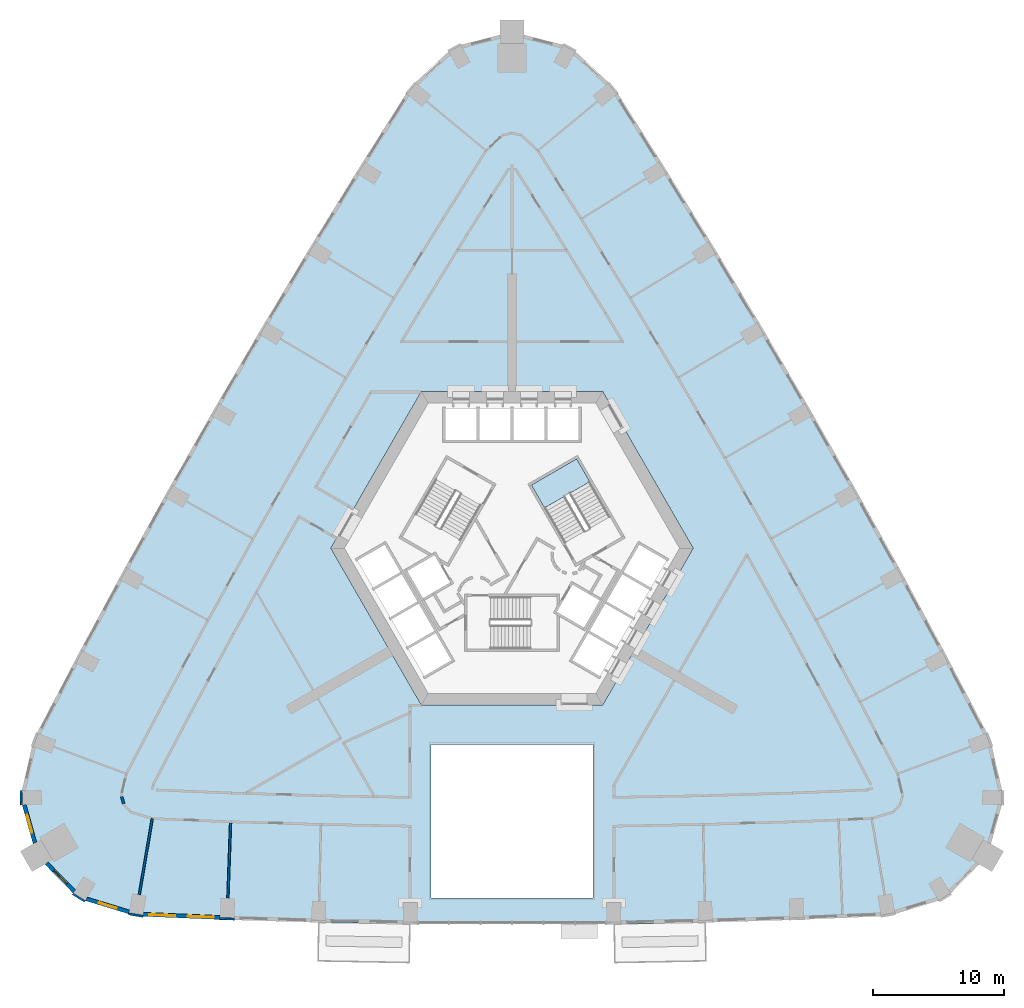
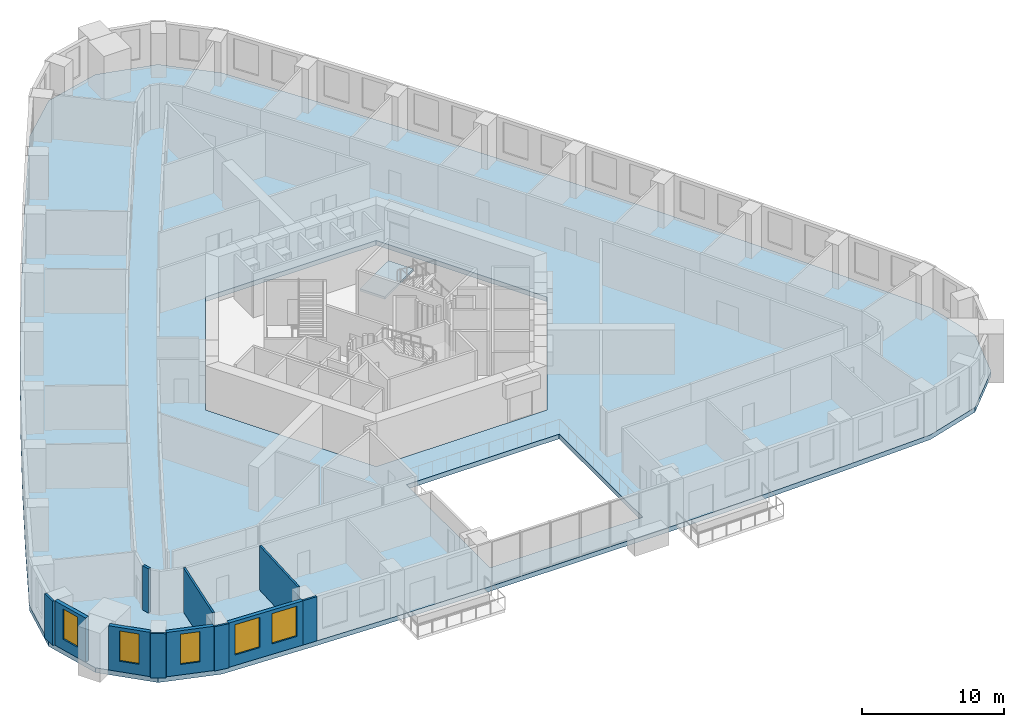
# One storey, part 3 of 13: 11 walls, 5 windows, 2 slabs, 5 openings, 1 element without a shape of its own.
"""IFC4 building model written with IfcOpenShell, lengths in metres."""

from ifc_helpers import new_model, si_unit, direction, frame, frame_2d, origin, place, context, subcontext, project, spatial, polyline, rectangle, outline, extrude, material, layer, layer_set, type_object, element, fill, aggregate, save


model = new_model("IFC4")

# Units and contexts
model_context = context("Model", 3, precision=1e-05, world=origin(), true_north=direction((0.0, 1.0)))
body_context = subcontext(model_context, "Body", "Model", "MODEL_VIEW")
ifc_project = project(units=[si_unit("LENGTHUNIT", "METRE"), si_unit("AREAUNIT", "SQUARE_METRE"), si_unit("VOLUMEUNIT", "CUBIC_METRE"), si_unit("PLANEANGLEUNIT", "RADIAN"), si_unit("MASSUNIT", "GRAM", prefix="KILO")], contexts=[model_context])

# Site, building, storey
site_placement = place(None, origin())
site = spatial("IfcSite", under=ifc_project, at=site_placement, CompositionType="ELEMENT")
building_placement = place(site_placement, origin())
building = spatial("IfcBuilding", under=site, at=building_placement, Name="Entoto Arch Interchange Tower", CompositionType="ELEMENT")
storey_placement = place(building_placement, frame((0.0, 0.0, 90.800048828125)))
storey = spatial("IfcBuildingStorey", under=building, at=storey_placement, Name="L19", CompositionType="ELEMENT", Elevation=90.800048828125)

# Stair, slab
ifc_material_1 = material(Name="Concrete C40/50", Category="concrete")
stair_type = type_object("IfcStairType", Name="EXIT STAIR RC 1800", PredefinedType="HALF_TURN_STAIR", material=ifc_material_1)
stair_placement = place(storey_placement, origin())
stair = element("IfcStair", 1, at=stair_placement, inside=storey, type_object=stair_type, Name="L19 Exit stair NE", PredefinedType="HALF_TURN_STAIR")
ifc_layer_1 = layer(ifc_material_1, 0.199951171875)
ifc_layer_set_1 = layer_set([ifc_layer_1], Name="Concrete C40/50")
slab_type_1 = type_object("IfcSlabType", Name="EXIT STAIR LANDING RC 200", PredefinedType="LANDING", material=ifc_layer_set_1)
slab_1_placement = place(storey_placement, frame((0.0, 0.0, 1.89990234375)))
slab_1 = element("IfcSlab", 2, at=slab_1_placement, type_object=slab_type_1, Name="ST-NE landing 1", PredefinedType="LANDING", context=body_context, shape_type="SweptSolid", body=[
    extrude(outline(polyline([(5.953369140625, 7.58837890625), (4.943359375, 9.337890625), (1.479248046875, 7.337890625), (2.4892578125, 5.58837890625), (5.953369140625, 7.58837890625)])), origin(), (0.0, 0.0, 1.0), 0.199951171875),
])
aggregate(stair, [slab_1])

# Slab
ifc_layer_2 = layer(ifc_material_1, 0.39990234375)
ifc_layer_set_2 = layer_set([ifc_layer_2], Name="Concrete C40/50")
slab_type_2 = type_object("IfcSlabType", Name="Post-tensioned flat plate 400 C40/50", PredefinedType="FLOOR", material=ifc_layer_set_2)
slab_2_placement = place(storey_placement, frame((0.0, 0.0, -0.400146484375)))
element("IfcSlab", 3, at=slab_2_placement, inside=storey, type_object=slab_type_2, Name="Floor slab L19", PredefinedType="FLOOR", context=body_context, shape_type="SweptSolid", body=[
    extrude(outline(polyline([(-28.783935546875, -25.626953125), (-21.7890625, -25.9140625), (-14.794921875, -26.1220703125), (-7.800048828125, -26.2509765625), (7.800048828125, -26.2509765625), (14.794921875, -26.1220703125), (21.7890625, -25.9140625), (28.783935546875, -25.626953125), (33.1708984375, -24.284912109375), (36.376953125, -21.0029296875), (37.616943359375, -16.5849609375), (36.5849609375, -12.114013671875), (33.243896484375, -5.738037109375), (29.8291015625, 0.59912109375), (26.339111328125, 6.89501953125), (22.77587890625, 13.14990234375), (19.14111328125, 19.363037109375), (15.43310546875, 25.532958984375), (11.653076171875, 31.658935546875), (7.802001953125, 37.740966796875), (4.446044921875, 40.868896484375), (0.0, 42.0048828125), (-4.446044921875, 40.868896484375), (-7.802001953125, 37.740966796875), (-11.653076171875, 31.658935546875), (-15.43310546875, 25.532958984375), (-19.14111328125, 19.363037109375), (-22.77587890625, 13.14990234375), (-26.339111328125, 6.89501953125), (-29.8291015625, 0.59912109375), (-33.243896484375, -5.738037109375), (-36.5849609375, -12.114013671875), (-37.616943359375, -16.5849609375), (-36.376953125, -21.0029296875), (-33.1708984375, -24.284912109375), (-28.783935546875, -25.626953125)]), holes=[polyline([(6.199951171875, -24.2509765625), (6.199951171875, -12.5), (-6.199951171875, -12.5), (-6.199951171875, -24.2509765625), (6.199951171875, -24.2509765625)]), polyline([(13.85595703125, 2.5), (6.927978515625, 14.5), (-6.927978515625, 14.5), (-13.85595703125, 2.5), (-6.927978515625, -9.5), (6.927978515625, -9.5), (13.85595703125, 2.5)])]), origin(), (0.0, 0.0, 1.0), 0.400146484375),
])

# Walls
ifc_material_2 = material(Name="Gypsum board partition on steel studs", Category="steel")
ifc_layer_3 = layer(ifc_material_2, 0.14990234375)
ifc_layer_set_3 = layer_set([ifc_layer_3], Name="Gypsum board partition on steel studs")
wall_type_1 = type_object("IfcWallType", Name="PARTITION 150", PredefinedType="PARTITIONING", material=ifc_layer_set_3)
wall_1_placement = place(storey_placement, frame((-27.512939453125, -18.173095703125, 0.0), z_axis=(0.0, 0.0, 1.0), x_axis=(-0.168033262309, -0.985781326034, 0.0)))
element("IfcWall", 4, at=wall_1_placement, inside=storey, type_object=wall_type_1, Name="wall:L19:p129", PredefinedType="PARTITIONING", context=body_context, shape_type="SweptSolid", body=[
    extrude(rectangle(XDim=5.8916015625, YDim=0.14990234375, at=frame_2d((2.94580078125, 0.0))), origin(), (0.0, 0.0, 1.0), 3.800048828125),
])
wall_2_placement = place(storey_placement, frame((-21.527099609375, -18.51904296875, 0.0), z_axis=(0.0, 0.0, 1.0), x_axis=(-0.035408838092, -0.999372910472, 0.0)))
element("IfcWall", 5, at=wall_2_placement, inside=storey, type_object=wall_type_1, Name="wall:L19:p130", PredefinedType="PARTITIONING", context=body_context, shape_type="SweptSolid", body=[
    extrude(rectangle(XDim=5.729736328125, YDim=0.14990234375, at=frame_2d((2.86474609375, 0.0))), origin(), (0.0, 0.0, 1.0), 3.800048828125),
])
ifc_layer_4 = layer(ifc_material_2, 0.199951171875)
ifc_layer_set_4 = layer_set([ifc_layer_4], Name="Gypsum board partition on steel studs")
wall_type_2 = type_object("IfcWallType", Name="PARTITION 200", PredefinedType="PARTITIONING", material=ifc_layer_set_4)
wall_3_placement = place(storey_placement, frame((-29.700927734375, -17.035888671875, 0.0), z_axis=(0.0, 0.0, 1.0), x_axis=(-0.269792639482, 0.962918444979, 0.0)))
element("IfcWall", 6, at=wall_3_placement, inside=storey, type_object=wall_type_2, Name="wall:L19:p061", PredefinedType="PARTITIONING", context=body_context, shape_type="SweptSolid", body=[
    extrude(rectangle(XDim=0.556640625, YDim=0.199951171875, at=frame_2d((0.2783203125, 0.0))), origin(), (0.0, 0.0, 1.0), 3.800048828125),
])

# Wall, openings, windows
ifc_material_3 = material(Name="Welded tuff (ignimbrite) cladding, warm buff", Category="masonry")
ifc_layer_5 = layer(ifc_material_3, 0.300048828125)
ifc_layer_set_5 = layer_set([ifc_layer_5], Name="Welded tuff (ignimbrite) cladding, warm buff")
wall_type_3 = type_object("IfcWallType", Name="STONE INFILL WALL 300", PredefinedType="STANDARD", material=ifc_layer_set_5)
wall_4_placement = place(storey_placement, frame((-28.205078125, -25.5009765625, 0.0), z_axis=(0.0, 0.0, 1.0), x_axis=(0.999159360905, -0.040994774244, 0.0)))
wall_4 = element("IfcWall", 7, at=wall_4_placement, inside=storey, type_object=wall_type_3, Name="Facade wall S-01 L19", PredefinedType="STANDARD", context=body_context, shape_type="SweptSolid", body=[
    extrude(rectangle(XDim=5.8779296875, YDim=0.300048828125, at=frame_2d((2.93896484375, 0.0))), origin(), (0.0, 0.0, 1.0), 3.800048828125),
])
opening_1_placement = place(wall_4_placement, frame((0.468994140625, 0.0, 0.89990234375)))
opening_1 = element("IfcOpeningElement", 8, at=opening_1_placement, cuts=wall_4, Name="Opening WO-C", PredefinedType="OPENING", context=body_context, shape_type="SweptSolid", body=[
    extrude(rectangle(XDim=2.0, YDim=2.60009765625, at=frame_2d((1.0, 1.300048828125))), frame((0.0, 0.16015625, 0.0), z_axis=(0.0, -1.0, 0.0), x_axis=(1.0, 0.0, 0.0)), (0.0, 0.0, 1.0), 0.320068359375),
])
opening_2_placement = place(wall_4_placement, frame((3.407958984375, 0.0, 0.89990234375)))
opening_2 = element("IfcOpeningElement", 9, at=opening_2_placement, cuts=wall_4, Name="Opening WO-C", PredefinedType="OPENING", context=body_context, shape_type="SweptSolid", body=[
    extrude(rectangle(XDim=2.0, YDim=2.60009765625, at=frame_2d((1.0, 1.300048828125))), frame((0.0, 0.16015625, 0.0), z_axis=(0.0, -1.0, 0.0), x_axis=(1.0, 0.0, 0.0)), (0.0, 0.0, 1.0), 0.320068359375),
])
ifc_material_4 = material(Name="Clear glass, low-e double glazed", Category="glass")
window_type_1 = type_object("IfcWindowType", Name="WINDOW WO-C 2000x2600", PartitioningType="DOUBLE_PANEL_VERTICAL", PredefinedType="WINDOW", material=ifc_material_4)
window_1_placement = place(opening_1_placement, origin())
window_1 = element("IfcWindow", 10, at=window_1_placement, inside=storey, type_object=window_type_1, Name="Window WO-C S-01 L19", OverallHeight=2.60009765625, OverallWidth=2.0, PartitioningType="SINGLE_PANEL", PredefinedType="WINDOW", context=body_context, shape_type="SweptSolid", body=[
    extrude(rectangle(XDim=2.0, YDim=2.60009765625, at=frame_2d((1.0, 1.300048828125))), frame((0.0, 0.030029296875, 0.0), z_axis=(0.0, -1.0, 0.0), x_axis=(1.0, 0.0, 0.0)), (0.0, 0.0, 1.0), 0.06005859375),
])
fill(opening_1, window_1)
window_2_placement = place(opening_2_placement, origin())
window_2 = element("IfcWindow", 11, at=window_2_placement, inside=storey, type_object=window_type_1, Name="Window WO-C S-01 L19", OverallHeight=2.60009765625, OverallWidth=2.0, PartitioningType="SINGLE_PANEL", PredefinedType="WINDOW", context=body_context, shape_type="SweptSolid", body=[
    extrude(rectangle(XDim=2.0, YDim=2.60009765625, at=frame_2d((1.0, 1.300048828125))), frame((0.0, 0.030029296875, 0.0), z_axis=(0.0, -1.0, 0.0), x_axis=(1.0, 0.0, 0.0)), (0.0, 0.0, 1.0), 0.06005859375),
])
fill(opening_2, window_2)

# Wall, opening, window
wall_5_placement = place(storey_placement, frame((-37.30908203125, -17.126953125, 0.0), z_axis=(0.0, 0.0, 1.0), x_axis=(0.270176120308, -0.962810918102, 0.0)))
wall_5 = element("IfcWall", 12, at=wall_5_placement, inside=storey, type_object=wall_type_3, Name="Facade wall SW-02 L19", PredefinedType="STANDARD", context=body_context, shape_type="SweptSolid", body=[
    extrude(rectangle(XDim=3.017333984375, YDim=0.300048828125, at=frame_2d((1.5087890625, 0.0))), origin(), (0.0, 0.0, 1.0), 3.800048828125),
])
opening_3_placement = place(wall_5_placement, frame((0.80908203125, 0.0, 0.89990234375)))
opening_3 = element("IfcOpeningElement", 13, at=opening_3_placement, cuts=wall_5, Name="Opening WO-B", PredefinedType="OPENING", context=body_context, shape_type="SweptSolid", body=[
    extrude(rectangle(XDim=1.39990234375, YDim=2.60009765625, at=frame_2d((0.699951171875, 1.300048828125))), frame((0.0, 0.16015625, 0.0), z_axis=(0.0, -1.0, 0.0), x_axis=(1.0, 0.0, 0.0)), (0.0, 0.0, 1.0), 0.320068359375),
])
window_type_2 = type_object("IfcWindowType", Name="WINDOW WO-B 1400x2600", PartitioningType="DOUBLE_PANEL_VERTICAL", PredefinedType="WINDOW", material=ifc_material_4)
window_3_placement = place(opening_3_placement, origin())
window_3 = element("IfcWindow", 14, at=window_3_placement, inside=storey, type_object=window_type_2, Name="Window WO-B SW-02 L19", OverallHeight=2.60009765625, OverallWidth=1.39990234375, PartitioningType="SINGLE_PANEL", PredefinedType="WINDOW", context=body_context, shape_type="SweptSolid", body=[
    extrude(rectangle(XDim=1.39990234375, YDim=2.60009765625, at=frame_2d((0.699951171875, 1.300048828125))), frame((0.0, 0.030029296875, 0.0), z_axis=(0.0, -1.0, 0.0), x_axis=(1.0, 0.0, 0.0)), (0.0, 0.0, 1.0), 0.06005859375),
])
fill(opening_3, window_3)

wall_6_placement = place(storey_placement, frame((-35.594970703125, -21.589111328125, 0.0), z_axis=(0.0, 0.0, 1.0), x_axis=(0.698928244773, -0.715191798512, 0.0)))
wall_6 = element("IfcWall", 15, at=wall_6_placement, inside=storey, type_object=wall_type_3, Name="Facade wall SW-03 L19", PredefinedType="STANDARD", context=body_context, shape_type="SweptSolid", body=[
    extrude(rectangle(XDim=3.017333984375, YDim=0.300048828125, at=frame_2d((1.5087890625, 0.0))), origin(), (0.0, 0.0, 1.0), 3.800048828125),
])
opening_4_placement = place(wall_6_placement, frame((0.80908203125, 0.0, 0.89990234375)))
opening_4 = element("IfcOpeningElement", 16, at=opening_4_placement, cuts=wall_6, Name="Opening WO-B", PredefinedType="OPENING", context=body_context, shape_type="SweptSolid", body=[
    extrude(rectangle(XDim=1.39990234375, YDim=2.60009765625, at=frame_2d((0.699951171875, 1.300048828125))), frame((0.0, 0.16015625, 0.0), z_axis=(0.0, -1.0, 0.0), x_axis=(1.0, 0.0, 0.0)), (0.0, 0.0, 1.0), 0.320068359375),
])
window_4_placement = place(opening_4_placement, origin())
window_4 = element("IfcWindow", 17, at=window_4_placement, inside=storey, type_object=window_type_2, Name="Window WO-B SW-03 L19", OverallHeight=2.60009765625, OverallWidth=1.39990234375, PartitioningType="SINGLE_PANEL", PredefinedType="WINDOW", context=body_context, shape_type="SweptSolid", body=[
    extrude(rectangle(XDim=1.39990234375, YDim=2.60009765625, at=frame_2d((0.699951171875, 1.300048828125))), frame((0.0, 0.030029296875, 0.0), z_axis=(0.0, -1.0, 0.0), x_axis=(1.0, 0.0, 0.0)), (0.0, 0.0, 1.0), 0.06005859375),
])
fill(opening_4, window_4)

wall_7_placement = place(storey_placement, frame((-32.549072265625, -24.319091796875, 0.0), z_axis=(0.0, 0.0, 1.0), x_axis=(0.956317661006, -0.292329490895, 0.0)))
wall_7 = element("IfcWall", 18, at=wall_7_placement, inside=storey, type_object=wall_type_3, Name="Facade wall SW-04 L19", PredefinedType="STANDARD", context=body_context, shape_type="SweptSolid", body=[
    extrude(rectangle(XDim=3.409912109375, YDim=0.300048828125, at=frame_2d((1.705078125, 0.0))), origin(), (0.0, 0.0, 1.0), 3.800048828125),
])
opening_5_placement = place(wall_7_placement, frame((1.0048828125, 0.0, 0.89990234375)))
opening_5 = element("IfcOpeningElement", 19, at=opening_5_placement, cuts=wall_7, Name="Opening WO-B", PredefinedType="OPENING", context=body_context, shape_type="SweptSolid", body=[
    extrude(rectangle(XDim=1.39990234375, YDim=2.60009765625, at=frame_2d((0.699951171875, 1.300048828125))), frame((0.0, 0.16015625, 0.0), z_axis=(0.0, -1.0, 0.0), x_axis=(1.0, 0.0, 0.0)), (0.0, 0.0, 1.0), 0.320068359375),
])
window_5_placement = place(opening_5_placement, origin())
window_5 = element("IfcWindow", 20, at=window_5_placement, inside=storey, type_object=window_type_2, Name="Window WO-B SW-04 L19", OverallHeight=2.60009765625, OverallWidth=1.39990234375, PartitioningType="SINGLE_PANEL", PredefinedType="WINDOW", context=body_context, shape_type="SweptSolid", body=[
    extrude(rectangle(XDim=1.39990234375, YDim=2.60009765625, at=frame_2d((0.699951171875, 1.300048828125))), frame((0.0, 0.030029296875, 0.0), z_axis=(0.0, -1.0, 0.0), x_axis=(1.0, 0.0, 0.0)), (0.0, 0.0, 1.0), 0.06005859375),
])
fill(opening_5, window_5)

# Walls
ifc_layer_6 = layer(ifc_material_3, 0.14990234375)
ifc_layer_set_6 = layer_set([ifc_layer_6], Name="Welded tuff (ignimbrite) cladding, warm buff")
wall_type_4 = type_object("IfcWallType", Name="STONE PIER CLADDING 150", PredefinedType="STANDARD", material=ifc_layer_set_6)
wall_8_placement = place(storey_placement, frame((-29.31396484375, -25.4609375, 0.0), z_axis=(0.0, 0.0, 1.0), x_axis=(0.985763338892, -0.168138751323, 0.0)))
element("IfcWall", 21, at=wall_8_placement, inside=storey, type_object=wall_type_4, Name="Stone pier S01 L19", PredefinedType="STANDARD", context=body_context, shape_type="SweptSolid", body=[
    extrude(rectangle(XDim=1.1005859375, YDim=0.14990234375, at=frame_2d((0.55029296875, 0.0))), origin(), (0.0, 0.0, 1.0), 3.800048828125),
])
wall_9_placement = place(storey_placement, frame((-22.3359375, -25.820068359375, 0.0), z_axis=(0.0, 0.0, 1.0), x_axis=(0.999376638472, -0.035303462679, 0.0)))
element("IfcWall", 22, at=wall_9_placement, inside=storey, type_object=wall_type_4, Name="Stone pier S02 L19", PredefinedType="STANDARD", context=body_context, shape_type="SweptSolid", body=[
    extrude(rectangle(XDim=1.099609375, YDim=0.14990234375, at=frame_2d((0.5498046875, 0.0))), origin(), (0.0, 0.0, 1.0), 3.800048828125),
])
for number, where, z_axis, x_axis, name in (
    (23, (-37.554931640625, -16.032958984375, 0.0), (0.0, 0.0, 1.0), (0.023517683673, -0.999723421029, 0.0), "Stone pier SW1 L19"),
    (24, (-33.60205078125, -23.93505859375, 0.0), (0.0, 0.0, 1.0), (0.854245682901, -0.519869515594, 0.0), "Stone pier SW3 L19"),
):
    element("IfcWall", number, at=place(storey_placement, frame(where, z_axis=z_axis, x_axis=x_axis)), inside=storey, type_object=wall_type_4, Name=name, PredefinedType="STANDARD", context=body_context, shape_type="SweptSolid", body=[
        extrude(rectangle(XDim=1.100341796875, YDim=0.14990234375, at=frame_2d((0.55029296875, 0.0))), origin(), (0.0, 0.0, 1.0), 3.800048828125),
    ])

save(model, "model.ifc")
